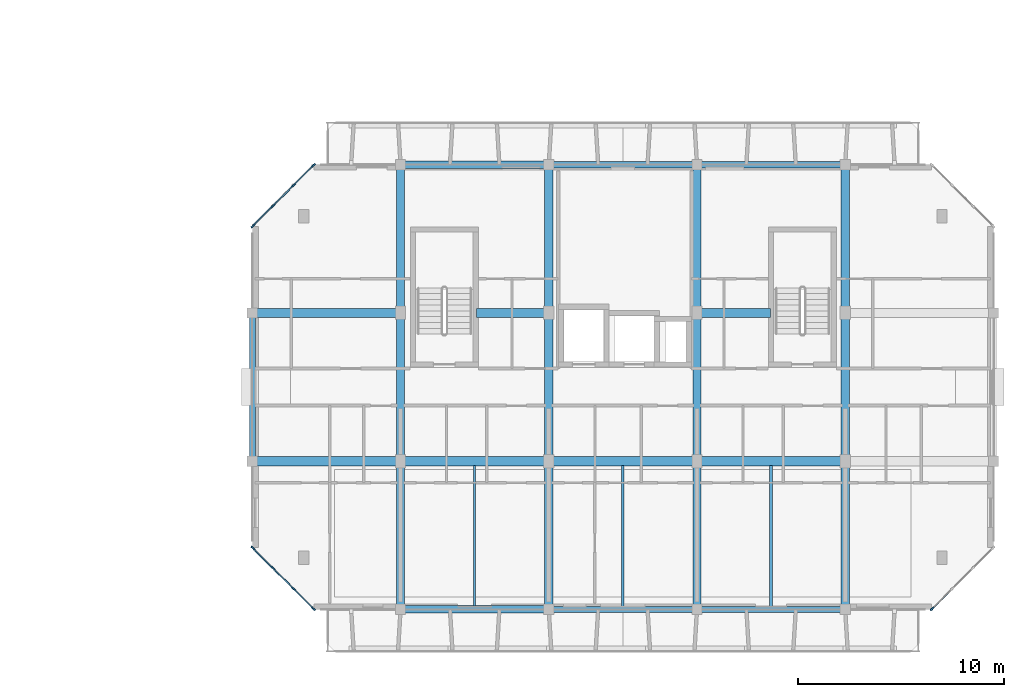
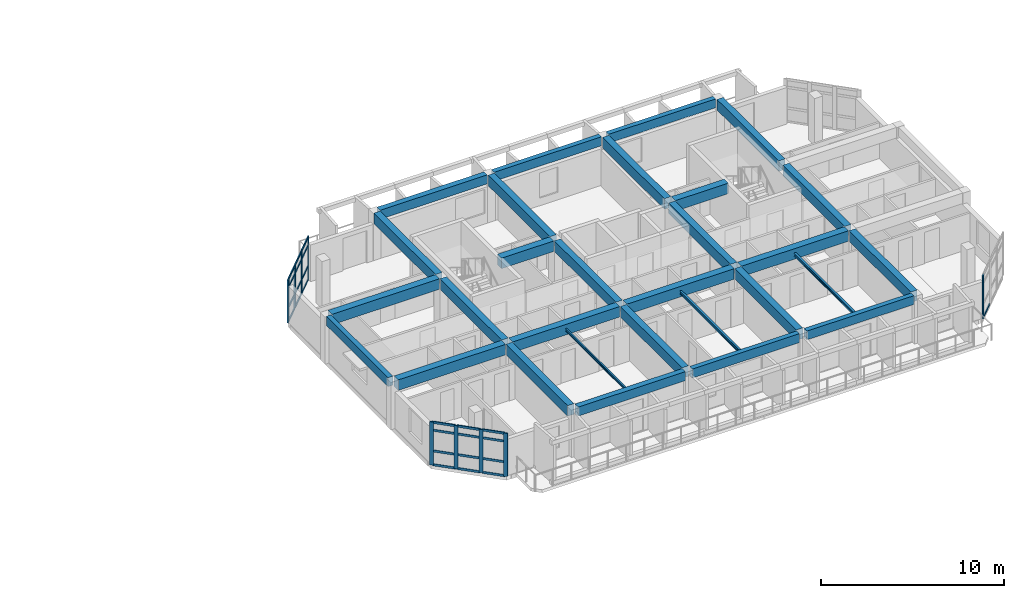
# One storey, part 7 of 40: 34 members, 29 beams, 3 elements without a shape of their own.
"""IFC4 building model written with IfcOpenShell, lengths in metres."""

from ifc_helpers import new_model, si_unit, direction, frame, origin, origin_2d, place, context, subcontext, project, spatial, rectangle, i_section, extrude, material, layer, layer_set, material_profile, profile_set, type_object, element, aggregate, save


model = new_model("IFC4")

# Units and contexts
model_context = context("Model", 3, precision=1e-05, world=origin(), true_north=direction((0.0, 1.0)))
body_context = subcontext(model_context, "Body", "Model", "MODEL_VIEW")
ifc_project = project(units=[si_unit("LENGTHUNIT", "METRE"), si_unit("AREAUNIT", "SQUARE_METRE"), si_unit("VOLUMEUNIT", "CUBIC_METRE"), si_unit("PLANEANGLEUNIT", "RADIAN"), si_unit("MASSUNIT", "GRAM", prefix="KILO")], contexts=[model_context])

# Site, building, storey
site_placement = place(None, origin())
site = spatial("IfcSite", under=ifc_project, at=site_placement, CompositionType="ELEMENT")
building_placement = place(site_placement, origin())
building = spatial("IfcBuilding", under=site, at=building_placement, Name="Ochrevale Crest", CompositionType="ELEMENT")
storey_placement = place(building_placement, frame((0.0, 0.0, 27.60009765625)))
storey = spatial("IfcBuildingStorey", under=building, at=storey_placement, Name="L08", CompositionType="ELEMENT", Elevation=27.60009765625)

# Beams
ifc_material_1 = material(Name="Precast concrete C50/60", Category="concrete")
ifc_material_profile_1 = material_profile(ifc_material_1, rectangle(XDim=0.39990234375, YDim=0.699951171875, at=origin_2d()), Name="PC 400x700")
ifc_profile_set_1 = profile_set([ifc_material_profile_1], Name="Precast concrete C50/60")
beam_type_1 = type_object("IfcBeamType", Name="BM-PC400x700", PredefinedType="BEAM", material=ifc_profile_set_1)
beam_1_placement = place(storey_placement, frame((136.800048828125, 14.6298828125, 2.7998046875), z_axis=(0.0, 1.0, 0.0), x_axis=(-1.0, 0.0, 0.0)))
element("IfcBeam", 1, at=beam_1_placement, inside=storey, type_object=beam_type_1, Name="Block C L08 N-S beam X=136.8", PredefinedType="BEAM", context=body_context, shape_type="SweptSolid", body=[
    extrude(rectangle(XDim=0.39990234375, YDim=0.699951171875, at=origin_2d()), origin(), (0.0, 0.0, 1.0), 6.740234375),
])
for number, where, z_axis, x_axis, name in (
    (2, (136.800048828125, 21.830078125, 2.7998046875), (0.0, 1.0, 0.0), (-1.0, 0.0, 0.0), "Block C L08 N-S beam X=136.8"),
    (3, (136.800048828125, 29.030029296875, 2.7998046875), (0.0, 1.0, 0.0), (-1.0, 0.0, 0.0), "Block C L08 N-S beam X=136.8"),
):
    element("IfcBeam", number, at=place(storey_placement, frame(where, z_axis=z_axis, x_axis=x_axis)), inside=storey, type_object=beam_type_1, Name=name, PredefinedType="BEAM", context=body_context, shape_type="SweptSolid", body=[
        extrude(rectangle(XDim=0.39990234375, YDim=0.699951171875, at=origin_2d()), origin(), (0.0, 0.0, 1.0), 6.739990234375),
    ])
beam_2_placement = place(storey_placement, frame((144.0, 14.6298828125, 2.7998046875), z_axis=(0.0, 1.0, 0.0), x_axis=(-1.0, 0.0, 0.0)))
element("IfcBeam", 4, at=beam_2_placement, inside=storey, type_object=beam_type_1, Name="Block C L08 N-S beam X=144.0", PredefinedType="BEAM", context=body_context, shape_type="SweptSolid", body=[
    extrude(rectangle(XDim=0.39990234375, YDim=0.699951171875, at=origin_2d()), origin(), (0.0, 0.0, 1.0), 6.740234375),
])
for number, where, z_axis, x_axis, name in (
    (5, (144.0, 21.830078125, 2.7998046875), (0.0, 1.0, 0.0), (-1.0, 0.0, 0.0), "Block C L08 N-S beam X=144.0"),
    (6, (144.0, 29.030029296875, 2.7998046875), (0.0, 1.0, 0.0), (-1.0, 0.0, 0.0), "Block C L08 N-S beam X=144.0"),
):
    element("IfcBeam", number, at=place(storey_placement, frame(where, z_axis=z_axis, x_axis=x_axis)), inside=storey, type_object=beam_type_1, Name=name, PredefinedType="BEAM", context=body_context, shape_type="SweptSolid", body=[
        extrude(rectangle(XDim=0.39990234375, YDim=0.699951171875, at=origin_2d()), origin(), (0.0, 0.0, 1.0), 6.739990234375),
    ])
beam_3_placement = place(storey_placement, frame((151.199951171875, 14.6298828125, 2.7998046875), z_axis=(0.0, 1.0, 0.0), x_axis=(-1.0, 0.0, 0.0)))
element("IfcBeam", 7, at=beam_3_placement, inside=storey, type_object=beam_type_1, Name="Block C L08 N-S beam X=151.2", PredefinedType="BEAM", context=body_context, shape_type="SweptSolid", body=[
    extrude(rectangle(XDim=0.39990234375, YDim=0.699951171875, at=origin_2d()), origin(), (0.0, 0.0, 1.0), 6.740234375),
])
for number, where, z_axis, x_axis, name in (
    (8, (151.199951171875, 21.830078125, 2.7998046875), (0.0, 1.0, 0.0), (-1.0, 0.0, 0.0), "Block C L08 N-S beam X=151.2"),
    (9, (151.199951171875, 29.030029296875, 2.7998046875), (0.0, 1.0, 0.0), (-1.0, 0.0, 0.0), "Block C L08 N-S beam X=151.2"),
):
    element("IfcBeam", number, at=place(storey_placement, frame(where, z_axis=z_axis, x_axis=x_axis)), inside=storey, type_object=beam_type_1, Name=name, PredefinedType="BEAM", context=body_context, shape_type="SweptSolid", body=[
        extrude(rectangle(XDim=0.39990234375, YDim=0.699951171875, at=origin_2d()), origin(), (0.0, 0.0, 1.0), 6.739990234375),
    ])
beam_4_placement = place(storey_placement, frame((158.39990234375, 14.6298828125, 2.7998046875), z_axis=(0.0, 1.0, 0.0), x_axis=(-1.0, 0.0, 0.0)))
element("IfcBeam", 10, at=beam_4_placement, inside=storey, type_object=beam_type_1, Name="Block C L08 N-S beam X=158.4", PredefinedType="BEAM", context=body_context, shape_type="SweptSolid", body=[
    extrude(rectangle(XDim=0.39990234375, YDim=0.699951171875, at=origin_2d()), origin(), (0.0, 0.0, 1.0), 6.740234375),
])
for number, where, z_axis, x_axis, name in (
    (11, (158.39990234375, 21.830078125, 2.7998046875), (0.0, 1.0, 0.0), (-1.0, 0.0, 0.0), "Block C L08 N-S beam X=158.4"),
    (12, (158.39990234375, 29.030029296875, 2.7998046875), (0.0, 1.0, 0.0), (-1.0, 0.0, 0.0), "Block C L08 N-S beam X=158.4"),
):
    element("IfcBeam", number, at=place(storey_placement, frame(where, z_axis=z_axis, x_axis=x_axis)), inside=storey, type_object=beam_type_1, Name=name, PredefinedType="BEAM", context=body_context, shape_type="SweptSolid", body=[
        extrude(rectangle(XDim=0.39990234375, YDim=0.699951171875, at=origin_2d()), origin(), (0.0, 0.0, 1.0), 6.739990234375),
    ])
ifc_material_2 = material(Name="Concrete C50/60", Category="concrete")
ifc_material_profile_2 = material_profile(ifc_material_2, rectangle(XDim=0.449951171875, YDim=0.699951171875, at=origin_2d()), Name="RC 450x700")
ifc_profile_set_2 = profile_set([ifc_material_profile_2], Name="Concrete C50/60")
beam_type_2 = type_object("IfcBeamType", Name="BM-PG450x700", PredefinedType="USERDEFINED", material=ifc_profile_set_2)
for number, where, z_axis, x_axis, name in (
    (13, (129.824951171875, 21.60009765625, 2.7998046875), (1.0, 0.0, 0.0), (0.0, 1.0, 0.0), "Block C L08 E-W beam Y=21.6"),
    (14, (137.02490234375, 21.60009765625, 2.7998046875), (1.0, 0.0, 0.0), (0.0, 1.0, 0.0), "Block C L08 E-W beam Y=21.6"),
    (15, (144.22509765625, 21.60009765625, 2.7998046875), (1.0, 0.0, 0.0), (0.0, 1.0, 0.0), "Block C L08 E-W beam Y=21.6"),
    (16, (151.425048828125, 21.60009765625, 2.7998046875), (1.0, 0.0, 0.0), (0.0, 1.0, 0.0), "Block C L08 E-W beam Y=21.6"),
    (17, (129.824951171875, 28.800048828125, 2.7998046875), (1.0, 0.0, 0.0), (0.0, 1.0, 0.0), "Block C L08 E-W beam Y=28.8"),
):
    element("IfcBeam", number, at=place(storey_placement, frame(where, z_axis=z_axis, x_axis=x_axis)), inside=storey, type_object=beam_type_2, Name=name, ObjectType="GIRDER", PredefinedType="USERDEFINED", context=body_context, shape_type="SweptSolid", body=[
        extrude(rectangle(XDim=0.449951171875, YDim=0.699951171875, at=origin_2d()), origin(), (0.0, 0.0, 1.0), 6.75),
    ])
beam_5_placement = place(storey_placement, frame((140.489990234375, 28.800048828125, 2.7998046875), z_axis=(1.0, 0.0, 0.0), x_axis=(0.0, 1.0, 0.0)))
element("IfcBeam", 18, at=beam_5_placement, inside=storey, type_object=beam_type_2, Name="Block C L08 E-W beam Y=28.8", ObjectType="GIRDER", PredefinedType="USERDEFINED", context=body_context, shape_type="SweptSolid", body=[
    extrude(rectangle(XDim=0.449951171875, YDim=0.699951171875, at=origin_2d()), origin(), (0.0, 0.0, 1.0), 3.284912109375),
])
beam_6_placement = place(storey_placement, frame((151.425048828125, 28.800048828125, 2.7998046875), z_axis=(1.0, 0.0, 0.0), x_axis=(0.0, 1.0, 0.0)))
element("IfcBeam", 19, at=beam_6_placement, inside=storey, type_object=beam_type_2, Name="Block C L08 E-W beam Y=28.8", ObjectType="GIRDER", PredefinedType="USERDEFINED", context=body_context, shape_type="SweptSolid", body=[
    extrude(rectangle(XDim=0.449951171875, YDim=0.699951171875, at=origin_2d()), origin(), (0.0, 0.0, 1.0), 3.3349609375),
])
ifc_material_3 = material(Name="Precast concrete C40/50", Category="concrete")
ifc_material_profile_3 = material_profile(ifc_material_3, rectangle(XDim=0.300048828125, YDim=0.580078125, at=origin_2d()), Name="PC 300x580")
ifc_profile_set_3 = profile_set([ifc_material_profile_3], Name="Precast concrete C40/50")
beam_type_3 = type_object("IfcBeamType", Name="BM-SP300x580", PredefinedType="SPANDREL", material=ifc_profile_set_3)
for number, where, z_axis, x_axis, name in (
    (20, (151.425048828125, 14.39990234375, 2.85986328125), (1.0, 0.0, 0.0), (0.0, 1.0, 0.0), "Block C L08 E-W beam Y=14.4"),
    (21, (151.425048828125, 36.0, 2.85986328125), (1.0, 0.0, 0.0), (0.0, 1.0, 0.0), "Block C L08 E-W beam Y=36.0"),
):
    element("IfcBeam", number, at=place(storey_placement, frame(where, z_axis=z_axis, x_axis=x_axis)), inside=storey, type_object=beam_type_3, Name=name, PredefinedType="SPANDREL", context=body_context, shape_type="SweptSolid", body=[
        extrude(rectangle(XDim=0.300048828125, YDim=0.580078125, at=origin_2d()), origin(), (0.0, 0.0, 1.0), 6.75),
    ])
ifc_material_profile_4 = material_profile(ifc_material_3, rectangle(XDim=0.300048828125, YDim=0.60009765625, at=origin_2d()), Name="PC 300x600")
ifc_profile_set_4 = profile_set([ifc_material_profile_4], Name="Precast concrete C40/50")
beam_type_4 = type_object("IfcBeamType", Name="BM-SP300x600", PredefinedType="SPANDREL", material=ifc_profile_set_4)
for number, where, z_axis, x_axis, name in (
    (22, (144.22509765625, 14.39990234375, 2.849853515625), (1.0, 0.0, 0.0), (0.0, 1.0, 0.0), "Block C L08 E-W beam Y=14.4"),
    (23, (144.22509765625, 36.0, 2.849853515625), (1.0, 0.0, 0.0), (0.0, 1.0, 0.0), "Block C L08 E-W beam Y=36.0"),
):
    element("IfcBeam", number, at=place(storey_placement, frame(where, z_axis=z_axis, x_axis=x_axis)), inside=storey, type_object=beam_type_4, Name=name, PredefinedType="SPANDREL", context=body_context, shape_type="SweptSolid", body=[
        extrude(rectangle(XDim=0.300048828125, YDim=0.60009765625, at=origin_2d()), origin(), (0.0, 0.0, 1.0), 6.75),
    ])
beam_7_placement = place(storey_placement, frame((129.60009765625, 21.830078125, 2.849853515625), z_axis=(0.0, 1.0, 0.0), x_axis=(-1.0, 0.0, 0.0)))
element("IfcBeam", 24, at=beam_7_placement, inside=storey, type_object=beam_type_4, Name="Block C L08 N-S beam X=129.6", PredefinedType="SPANDREL", context=body_context, shape_type="SweptSolid", body=[
    extrude(rectangle(XDim=0.300048828125, YDim=0.60009765625, at=origin_2d()), origin(), (0.0, 0.0, 1.0), 6.739990234375),
])
ifc_material_profile_5 = material_profile(ifc_material_3, rectangle(XDim=0.35009765625, YDim=0.60009765625, at=origin_2d()), Name="PC 350x600")
ifc_profile_set_5 = profile_set([ifc_material_profile_5], Name="Precast concrete C40/50")
beam_type_5 = type_object("IfcBeamType", Name="BM-SP350x600", PredefinedType="SPANDREL", material=ifc_profile_set_5)
for number, where, z_axis, x_axis, name in (
    (25, (137.02490234375, 14.39990234375, 2.849853515625), (1.0, 0.0, 0.0), (0.0, 1.0, 0.0), "Block C L08 E-W beam Y=14.4"),
    (26, (137.02490234375, 36.0, 2.849853515625), (1.0, 0.0, 0.0), (0.0, 1.0, 0.0), "Block C L08 E-W beam Y=36.0"),
):
    element("IfcBeam", number, at=place(storey_placement, frame(where, z_axis=z_axis, x_axis=x_axis)), inside=storey, type_object=beam_type_5, Name=name, PredefinedType="SPANDREL", context=body_context, shape_type="SweptSolid", body=[
        extrude(rectangle(XDim=0.35009765625, YDim=0.60009765625, at=origin_2d()), origin(), (0.0, 0.0, 1.0), 6.75),
    ])
ifc_material_4 = material(Name="Steel S355", Category="steel")
ifc_material_profile_6 = material_profile(ifc_material_4, i_section(OverallWidth=0.090087890625, OverallDepth=0.1787109375, WebThickness=0.006103515625, FlangeThickness=0.010009765625, FilletRadius=0.0087890625, at=origin_2d()), Name="180UB22.2")
ifc_profile_set_6 = profile_set([ifc_material_profile_6], Name="Steel S355")
beam_type_6 = type_object("IfcBeamType", Name="BM-UB180", PredefinedType="JOIST", material=ifc_profile_set_6)
beam_8_placement = place(storey_placement, frame((140.39990234375, 14.56298828125, 2.785400390625), z_axis=(0.0, 1.0, 0.0), x_axis=(-1.0, 0.0, 0.0)))
element("IfcBeam", 27, at=beam_8_placement, inside=storey, type_object=beam_type_6, Name="Block C L08 composite plank trimmer beam 2", PredefinedType="JOIST", context=body_context, shape_type="SweptSolid", body=[
    extrude(i_section(OverallWidth=0.090087890625, OverallDepth=0.1787109375, WebThickness=0.006103515625, FlangeThickness=0.010009765625, FilletRadius=0.0087890625, at=origin_2d()), origin(), (0.0, 0.0, 1.0), 6.823974609375),
])
ifc_material_profile_7 = material_profile(ifc_material_4, i_section(OverallWidth=0.13330078125, OverallDepth=0.203125, WebThickness=0.005859375, FlangeThickness=0.0078125, FilletRadius=0.0087890625, at=origin_2d()), Name="200UB25.4")
ifc_profile_set_7 = profile_set([ifc_material_profile_7], Name="Steel S355")
beam_type_7 = type_object("IfcBeamType", Name="BM-UB200A", PredefinedType="JOIST", material=ifc_profile_set_7)
beam_9_placement = place(storey_placement, frame((147.60009765625, 14.5380859375, 2.773193359375), z_axis=(0.0, 1.0, 0.0), x_axis=(-1.0, 0.0, 0.0)))
element("IfcBeam", 28, at=beam_9_placement, inside=storey, type_object=beam_type_7, Name="Block C L08 composite plank trimmer beam 3", PredefinedType="JOIST", context=body_context, shape_type="SweptSolid", body=[
    extrude(i_section(OverallWidth=0.13330078125, OverallDepth=0.203125, WebThickness=0.005859375, FlangeThickness=0.0078125, FilletRadius=0.0087890625, at=origin_2d()), origin(), (0.0, 0.0, 1.0), 6.848876953125),
])
ifc_material_profile_8 = material_profile(ifc_material_4, i_section(OverallWidth=0.134033203125, OverallDepth=0.20703125, WebThickness=0.00634765625, FlangeThickness=0.009521484375, FilletRadius=0.0087890625, at=origin_2d()), Name="200UB29.8")
ifc_profile_set_8 = profile_set([ifc_material_profile_8], Name="Steel S355")
beam_type_8 = type_object("IfcBeamType", Name="BM-UB200B", PredefinedType="JOIST", material=ifc_profile_set_8)
beam_10_placement = place(storey_placement, frame((154.800048828125, 14.5380859375, 2.771484375), z_axis=(0.0, 1.0, 0.0), x_axis=(-1.0, 0.0, 0.0)))
element("IfcBeam", 29, at=beam_10_placement, inside=storey, type_object=beam_type_8, Name="Block C L08 composite plank trimmer beam 4", PredefinedType="JOIST", context=body_context, shape_type="SweptSolid", body=[
    extrude(i_section(OverallWidth=0.134033203125, OverallDepth=0.20703125, WebThickness=0.00634765625, FlangeThickness=0.009521484375, FilletRadius=0.0087890625, at=origin_2d()), origin(), (0.0, 0.0, 1.0), 6.848876953125),
])

# Curtain wall, member
ifc_material_5 = material(Name="Anodised aluminium 6063-T5", Category="aluminium")
ifc_layer_1 = layer(ifc_material_5, 0.14990234375)
ifc_layer_set_1 = layer_set([ifc_layer_1], Name="Anodised aluminium 6063-T5")
curtain_wall_type_1 = type_object("IfcCurtainWallType", Name="CW-WG-240x285", PredefinedType="NOTDEFINED", material=ifc_layer_set_1)
curtain_wall_1_placement = place(storey_placement, origin())
curtain_wall_1 = element("IfcCurtainWall", 30, at=curtain_wall_1_placement, inside=storey, type_object=curtain_wall_type_1, Name="Block C L08 chamfered corner wintergarden curtain wall 2", PredefinedType="NOTDEFINED")
ifc_material_profile_9 = material_profile(ifc_material_5, rectangle(XDim=0.074951171875, YDim=0.219970703125, at=origin_2d()), Name="ALU 75x220")
ifc_profile_set_9 = profile_set([ifc_material_profile_9], Name="Anodised aluminium 6063-T5")
member_type_1 = type_object("IfcMemberType", Name="CW-MUL-75x220", PredefinedType="MULLION", material=ifc_profile_set_9)
member_1_placement = place(storey_placement, frame((162.62646484375, 14.426513671875, 0.0), z_axis=(0.0, 0.0, 1.0), x_axis=(-0.707106781187, 0.707106781187, 0.0)))
member_1 = element("IfcMember", 31, at=member_1_placement, type_object=member_type_1, Name="CW15 mullion 1", PredefinedType="MULLION", context=body_context, shape_type="SweptSolid", body=[
    extrude(rectangle(XDim=0.074951171875, YDim=0.219970703125, at=origin_2d()), origin(), (0.0, 0.0, 1.0), 2.875),
])

# Curtain wall, members
ifc_layer_2 = layer(ifc_material_5, 0.14990234375)
ifc_layer_set_2 = layer_set([ifc_layer_2], Name="Anodised aluminium 6063-T5")
curtain_wall_type_2 = type_object("IfcCurtainWallType", Name="CW-WG-420x285", PredefinedType="NOTDEFINED", material=ifc_layer_set_2)
curtain_wall_2_placement = place(storey_placement, origin())
curtain_wall_2 = element("IfcCurtainWall", 32, at=curtain_wall_2_placement, inside=storey, type_object=curtain_wall_type_2, Name="Block C L08 chamfered corner wintergarden curtain wall 6", PredefinedType="NOTDEFINED")
member_2_placement = place(storey_placement, frame((132.573486328125, 35.973388671875, 0.0), z_axis=(0.0, 0.0, 1.0), x_axis=(0.707106781187, -0.707106781187, 0.0)))
member_2 = element("IfcMember", 33, at=member_2_placement, type_object=member_type_1, Name="CW22 mullion 1", PredefinedType="MULLION", context=body_context, shape_type="SweptSolid", body=[
    extrude(rectangle(XDim=0.074951171875, YDim=0.219970703125, at=origin_2d()), origin(), (0.0, 0.0, 1.0), 2.875),
])
member_3_placement = place(storey_placement, frame((131.60009765625, 35.0, 0.0), z_axis=(0.0, 0.0, 1.0), x_axis=(0.707106781187, -0.707106781187, 0.0)))
member_3 = element("IfcMember", 34, at=member_3_placement, type_object=member_type_1, Name="CW22 mullion 2", PredefinedType="MULLION", context=body_context, shape_type="SweptSolid", body=[
    extrude(rectangle(XDim=0.074951171875, YDim=0.219970703125, at=origin_2d()), origin(), (0.0, 0.0, 1.0), 2.875),
])
member_4_placement = place(storey_placement, frame((130.60009765625, 34.0, 0.0), z_axis=(0.0, 0.0, 1.0), x_axis=(0.707106781187, -0.707106781187, 0.0)))
member_4 = element("IfcMember", 35, at=member_4_placement, type_object=member_type_1, Name="CW22 mullion 3", PredefinedType="MULLION", context=body_context, shape_type="SweptSolid", body=[
    extrude(rectangle(XDim=0.074951171875, YDim=0.219970703125, at=origin_2d()), origin(), (0.0, 0.0, 1.0), 2.875),
])
member_5_placement = place(storey_placement, frame((129.62646484375, 33.026611328125, 0.0), z_axis=(0.0, 0.0, 1.0), x_axis=(0.707106781187, -0.707106781187, 0.0)))
member_5 = element("IfcMember", 36, at=member_5_placement, type_object=member_type_1, Name="CW22 mullion 4", PredefinedType="MULLION", context=body_context, shape_type="SweptSolid", body=[
    extrude(rectangle(XDim=0.074951171875, YDim=0.219970703125, at=origin_2d()), origin(), (0.0, 0.0, 1.0), 2.875),
])

ifc_layer_3 = layer(ifc_material_5, 0.14990234375)
ifc_layer_set_3 = layer_set([ifc_layer_3], Name="Anodised aluminium 6063-T5")
curtain_wall_type_3 = type_object("IfcCurtainWallType", Name="CW-WG-280x285", PredefinedType="NOTDEFINED", material=ifc_layer_set_3)
curtain_wall_3_placement = place(storey_placement, origin())
curtain_wall_3 = element("IfcCurtainWall", 37, at=curtain_wall_3_placement, inside=storey, type_object=curtain_wall_type_3, Name="Block C L08 chamfered corner wintergarden curtain wall 8", PredefinedType="NOTDEFINED")
member_6_placement = place(storey_placement, frame((129.62646484375, 17.37353515625, 0.0), z_axis=(0.0, 0.0, 1.0), x_axis=(0.707106781187, 0.707106781187, 0.0)))
member_6 = element("IfcMember", 38, at=member_6_placement, type_object=member_type_1, Name="CW16 mullion 1", PredefinedType="MULLION", context=body_context, shape_type="SweptSolid", body=[
    extrude(rectangle(XDim=0.074951171875, YDim=0.219970703125, at=origin_2d()), origin(), (0.0, 0.0, 1.0), 2.875),
])
member_7_placement = place(storey_placement, frame((130.60009765625, 16.39990234375, 0.0), z_axis=(0.0, 0.0, 1.0), x_axis=(0.707106781187, 0.707106781187, 0.0)))
member_7 = element("IfcMember", 39, at=member_7_placement, type_object=member_type_1, Name="CW16 mullion 2", PredefinedType="MULLION", context=body_context, shape_type="SweptSolid", body=[
    extrude(rectangle(XDim=0.074951171875, YDim=0.219970703125, at=origin_2d()), origin(), (0.0, 0.0, 1.0), 2.875),
])
member_8_placement = place(storey_placement, frame((131.60009765625, 15.39990234375, 0.0), z_axis=(0.0, 0.0, 1.0), x_axis=(0.707106781187, 0.707106781187, 0.0)))
member_8 = element("IfcMember", 40, at=member_8_placement, type_object=member_type_1, Name="CW16 mullion 3", PredefinedType="MULLION", context=body_context, shape_type="SweptSolid", body=[
    extrude(rectangle(XDim=0.074951171875, YDim=0.219970703125, at=origin_2d()), origin(), (0.0, 0.0, 1.0), 2.875),
])
member_9_placement = place(storey_placement, frame((132.573486328125, 14.426513671875, 0.0), z_axis=(0.0, 0.0, 1.0), x_axis=(0.707106781187, 0.707106781187, 0.0)))
member_9 = element("IfcMember", 41, at=member_9_placement, type_object=member_type_1, Name="CW16 mullion 4", PredefinedType="MULLION", context=body_context, shape_type="SweptSolid", body=[
    extrude(rectangle(XDim=0.074951171875, YDim=0.219970703125, at=origin_2d()), origin(), (0.0, 0.0, 1.0), 2.875),
])

# Member
ifc_material_profile_10 = material_profile(ifc_material_5, rectangle(XDim=0.06005859375, YDim=0.14990234375, at=origin_2d()), Name="ALU 60x150")
ifc_profile_set_10 = profile_set([ifc_material_profile_10], Name="Anodised aluminium 6063-T5")
member_type_2 = type_object("IfcMemberType", Name="CW-TRN-60x150", PredefinedType="USERDEFINED", material=ifc_profile_set_10)
member_10_placement = place(storey_placement, frame((162.653076171875, 14.453125, 0.02978515625), z_axis=(0.707106781187, 0.707106781187, 0.0), x_axis=(-0.707106781187, 0.707106781187, 0.0)))
member_10 = element("IfcMember", 42, at=member_10_placement, type_object=member_type_2, Name="CW15 transom 1.1", ObjectType="TRANSOM", PredefinedType="USERDEFINED", context=body_context, shape_type="SweptSolid", body=[
    extrude(rectangle(XDim=0.06005859375, YDim=0.14990234375, at=origin_2d()), origin(), (0.0, 0.0, 1.0), 1.3017578125),
])

aggregate(curtain_wall_1, [member_1, member_10])

member_11_placement = place(storey_placement, frame((132.546875, 35.947021484375, 0.02978515625), z_axis=(-0.707106781187, -0.707106781187, 0.0), x_axis=(0.707106781187, -0.707106781187, 0.0)))
member_11 = element("IfcMember", 43, at=member_11_placement, type_object=member_type_2, Name="CW22 transom 1.1", ObjectType="TRANSOM", PredefinedType="USERDEFINED", context=body_context, shape_type="SweptSolid", body=[
    extrude(rectangle(XDim=0.06005859375, YDim=0.14990234375, at=origin_2d()), origin(), (0.0, 0.0, 1.0), 1.3017578125),
])

member_12_placement = place(storey_placement, frame((132.546875, 35.947021484375, 0.949951171875), z_axis=(-0.707106781187, -0.707106781187, 0.0), x_axis=(0.707106781187, -0.707106781187, 0.0)))
member_12 = element("IfcMember", 44, at=member_12_placement, type_object=member_type_2, Name="CW22 transom 1.2", ObjectType="TRANSOM", PredefinedType="USERDEFINED", context=body_context, shape_type="SweptSolid", body=[
    extrude(rectangle(XDim=0.06005859375, YDim=0.14990234375, at=origin_2d()), origin(), (0.0, 0.0, 1.0), 1.3017578125),
])

member_13_placement = place(storey_placement, frame((132.546875, 35.947021484375, 2.324951171875), z_axis=(-0.707106781187, -0.707106781187, 0.0), x_axis=(0.707106781187, -0.707106781187, 0.0)))
member_13 = element("IfcMember", 45, at=member_13_placement, type_object=member_type_2, Name="CW22 transom 1.3", ObjectType="TRANSOM", PredefinedType="USERDEFINED", context=body_context, shape_type="SweptSolid", body=[
    extrude(rectangle(XDim=0.06005859375, YDim=0.14990234375, at=origin_2d()), origin(), (0.0, 0.0, 1.0), 1.3017578125),
])

member_14_placement = place(storey_placement, frame((132.546875, 35.947021484375, 2.844970703125), z_axis=(-0.707106781187, -0.707106781187, 0.0), x_axis=(0.707106781187, -0.707106781187, 0.0)))
member_14 = element("IfcMember", 46, at=member_14_placement, type_object=member_type_2, Name="CW22 transom 1.4", ObjectType="TRANSOM", PredefinedType="USERDEFINED", context=body_context, shape_type="SweptSolid", body=[
    extrude(rectangle(XDim=0.06005859375, YDim=0.14990234375, at=origin_2d()), origin(), (0.0, 0.0, 1.0), 1.3017578125),
])

member_15_placement = place(storey_placement, frame((131.573486328125, 34.973388671875, 0.02978515625), z_axis=(-0.707197932559, -0.707015618062, 0.0), x_axis=(0.707015618062, -0.707197932559, 0.0)))
member_15 = element("IfcMember", 47, at=member_15_placement, type_object=member_type_2, Name="CW22 transom 2.1", ObjectType="TRANSOM", PredefinedType="USERDEFINED", context=body_context, shape_type="SweptSolid", body=[
    extrude(rectangle(XDim=0.06005859375, YDim=0.14990234375, at=origin_2d()), origin(), (0.0, 0.0, 1.0), 1.339111328125),
])

member_16_placement = place(storey_placement, frame((131.573486328125, 34.973388671875, 0.949951171875), z_axis=(-0.707197932559, -0.707015618062, 0.0), x_axis=(0.707015618062, -0.707197932559, 0.0)))
member_16 = element("IfcMember", 48, at=member_16_placement, type_object=member_type_2, Name="CW22 transom 2.2", ObjectType="TRANSOM", PredefinedType="USERDEFINED", context=body_context, shape_type="SweptSolid", body=[
    extrude(rectangle(XDim=0.06005859375, YDim=0.14990234375, at=origin_2d()), origin(), (0.0, 0.0, 1.0), 1.339111328125),
])

member_17_placement = place(storey_placement, frame((131.573486328125, 34.973388671875, 2.324951171875), z_axis=(-0.707197932559, -0.707015618062, 0.0), x_axis=(0.707015618062, -0.707197932559, 0.0)))
member_17 = element("IfcMember", 49, at=member_17_placement, type_object=member_type_2, Name="CW22 transom 2.3", ObjectType="TRANSOM", PredefinedType="USERDEFINED", context=body_context, shape_type="SweptSolid", body=[
    extrude(rectangle(XDim=0.06005859375, YDim=0.14990234375, at=origin_2d()), origin(), (0.0, 0.0, 1.0), 1.339111328125),
])

member_18_placement = place(storey_placement, frame((131.573486328125, 34.973388671875, 2.844970703125), z_axis=(-0.707197932559, -0.707015618062, 0.0), x_axis=(0.707015618062, -0.707197932559, 0.0)))
member_18 = element("IfcMember", 50, at=member_18_placement, type_object=member_type_2, Name="CW22 transom 2.4", ObjectType="TRANSOM", PredefinedType="USERDEFINED", context=body_context, shape_type="SweptSolid", body=[
    extrude(rectangle(XDim=0.06005859375, YDim=0.14990234375, at=origin_2d()), origin(), (0.0, 0.0, 1.0), 1.339111328125),
])

member_19_placement = place(storey_placement, frame((130.573486328125, 33.973388671875, 0.02978515625), z_axis=(-0.707106781187, -0.707106781187, 0.0), x_axis=(0.707106781187, -0.707106781187, 0.0)))
member_19 = element("IfcMember", 51, at=member_19_placement, type_object=member_type_2, Name="CW22 transom 3.1", ObjectType="TRANSOM", PredefinedType="USERDEFINED", context=body_context, shape_type="SweptSolid", body=[
    extrude(rectangle(XDim=0.06005859375, YDim=0.14990234375, at=origin_2d()), origin(), (0.0, 0.0, 1.0), 1.3017578125),
])

member_20_placement = place(storey_placement, frame((130.573486328125, 33.973388671875, 0.949951171875), z_axis=(-0.707106781187, -0.707106781187, 0.0), x_axis=(0.707106781187, -0.707106781187, 0.0)))
member_20 = element("IfcMember", 52, at=member_20_placement, type_object=member_type_2, Name="CW22 transom 3.2", ObjectType="TRANSOM", PredefinedType="USERDEFINED", context=body_context, shape_type="SweptSolid", body=[
    extrude(rectangle(XDim=0.06005859375, YDim=0.14990234375, at=origin_2d()), origin(), (0.0, 0.0, 1.0), 1.3017578125),
])

member_21_placement = place(storey_placement, frame((130.573486328125, 33.973388671875, 2.324951171875), z_axis=(-0.707106781187, -0.707106781187, 0.0), x_axis=(0.707106781187, -0.707106781187, 0.0)))
member_21 = element("IfcMember", 53, at=member_21_placement, type_object=member_type_2, Name="CW22 transom 3.3", ObjectType="TRANSOM", PredefinedType="USERDEFINED", context=body_context, shape_type="SweptSolid", body=[
    extrude(rectangle(XDim=0.06005859375, YDim=0.14990234375, at=origin_2d()), origin(), (0.0, 0.0, 1.0), 1.3017578125),
])

member_22_placement = place(storey_placement, frame((130.573486328125, 33.973388671875, 2.844970703125), z_axis=(-0.707106781187, -0.707106781187, 0.0), x_axis=(0.707106781187, -0.707106781187, 0.0)))
member_22 = element("IfcMember", 54, at=member_22_placement, type_object=member_type_2, Name="CW22 transom 3.4", ObjectType="TRANSOM", PredefinedType="USERDEFINED", context=body_context, shape_type="SweptSolid", body=[
    extrude(rectangle(XDim=0.06005859375, YDim=0.14990234375, at=origin_2d()), origin(), (0.0, 0.0, 1.0), 1.3017578125),
])

aggregate(curtain_wall_2, [member_2, member_3, member_4, member_5, member_11, member_12, member_13, member_14, member_15, member_16, member_17, member_18, member_19, member_20, member_21, member_22])

member_23_placement = place(storey_placement, frame((129.653076171875, 17.346923828125, 0.02978515625), z_axis=(0.707106781187, -0.707106781187, 0.0), x_axis=(0.707106781187, 0.707106781187, 0.0)))
member_23 = element("IfcMember", 55, at=member_23_placement, type_object=member_type_2, Name="CW16 transom 1.1", ObjectType="TRANSOM", PredefinedType="USERDEFINED", context=body_context, shape_type="SweptSolid", body=[
    extrude(rectangle(XDim=0.06005859375, YDim=0.14990234375, at=origin_2d()), origin(), (0.0, 0.0, 1.0), 1.3017578125),
])

member_24_placement = place(storey_placement, frame((129.653076171875, 17.346923828125, 0.949951171875), z_axis=(0.707106781187, -0.707106781187, 0.0), x_axis=(0.707106781187, 0.707106781187, 0.0)))
member_24 = element("IfcMember", 56, at=member_24_placement, type_object=member_type_2, Name="CW16 transom 1.2", ObjectType="TRANSOM", PredefinedType="USERDEFINED", context=body_context, shape_type="SweptSolid", body=[
    extrude(rectangle(XDim=0.06005859375, YDim=0.14990234375, at=origin_2d()), origin(), (0.0, 0.0, 1.0), 1.3017578125),
])

member_25_placement = place(storey_placement, frame((129.653076171875, 17.346923828125, 2.324951171875), z_axis=(0.707106781187, -0.707106781187, 0.0), x_axis=(0.707106781187, 0.707106781187, 0.0)))
member_25 = element("IfcMember", 57, at=member_25_placement, type_object=member_type_2, Name="CW16 transom 1.3", ObjectType="TRANSOM", PredefinedType="USERDEFINED", context=body_context, shape_type="SweptSolid", body=[
    extrude(rectangle(XDim=0.06005859375, YDim=0.14990234375, at=origin_2d()), origin(), (0.0, 0.0, 1.0), 1.3017578125),
])

member_26_placement = place(storey_placement, frame((129.653076171875, 17.346923828125, 2.844970703125), z_axis=(0.707106781187, -0.707106781187, 0.0), x_axis=(0.707106781187, 0.707106781187, 0.0)))
member_26 = element("IfcMember", 58, at=member_26_placement, type_object=member_type_2, Name="CW16 transom 1.4", ObjectType="TRANSOM", PredefinedType="USERDEFINED", context=body_context, shape_type="SweptSolid", body=[
    extrude(rectangle(XDim=0.06005859375, YDim=0.14990234375, at=origin_2d()), origin(), (0.0, 0.0, 1.0), 1.3017578125),
])

member_27_placement = place(storey_placement, frame((130.62646484375, 16.37353515625, 0.02978515625), z_axis=(0.707106781187, -0.707106781187, 0.0), x_axis=(0.707106781187, 0.707106781187, 0.0)))
member_27 = element("IfcMember", 59, at=member_27_placement, type_object=member_type_2, Name="CW16 transom 2.1", ObjectType="TRANSOM", PredefinedType="USERDEFINED", context=body_context, shape_type="SweptSolid", body=[
    extrude(rectangle(XDim=0.06005859375, YDim=0.14990234375, at=origin_2d()), origin(), (0.0, 0.0, 1.0), 1.33935546875),
])

member_28_placement = place(storey_placement, frame((130.62646484375, 16.37353515625, 0.949951171875), z_axis=(0.707106781187, -0.707106781187, 0.0), x_axis=(0.707106781187, 0.707106781187, 0.0)))
member_28 = element("IfcMember", 60, at=member_28_placement, type_object=member_type_2, Name="CW16 transom 2.2", ObjectType="TRANSOM", PredefinedType="USERDEFINED", context=body_context, shape_type="SweptSolid", body=[
    extrude(rectangle(XDim=0.06005859375, YDim=0.14990234375, at=origin_2d()), origin(), (0.0, 0.0, 1.0), 1.33935546875),
])

member_29_placement = place(storey_placement, frame((130.62646484375, 16.37353515625, 2.324951171875), z_axis=(0.707106781187, -0.707106781187, 0.0), x_axis=(0.707106781187, 0.707106781187, 0.0)))
member_29 = element("IfcMember", 61, at=member_29_placement, type_object=member_type_2, Name="CW16 transom 2.3", ObjectType="TRANSOM", PredefinedType="USERDEFINED", context=body_context, shape_type="SweptSolid", body=[
    extrude(rectangle(XDim=0.06005859375, YDim=0.14990234375, at=origin_2d()), origin(), (0.0, 0.0, 1.0), 1.33935546875),
])

member_30_placement = place(storey_placement, frame((130.62646484375, 16.37353515625, 2.844970703125), z_axis=(0.707106781187, -0.707106781187, 0.0), x_axis=(0.707106781187, 0.707106781187, 0.0)))
member_30 = element("IfcMember", 62, at=member_30_placement, type_object=member_type_2, Name="CW16 transom 2.4", ObjectType="TRANSOM", PredefinedType="USERDEFINED", context=body_context, shape_type="SweptSolid", body=[
    extrude(rectangle(XDim=0.06005859375, YDim=0.14990234375, at=origin_2d()), origin(), (0.0, 0.0, 1.0), 1.33935546875),
])

member_31_placement = place(storey_placement, frame((131.62646484375, 15.37353515625, 0.02978515625), z_axis=(0.707106781187, -0.707106781187, 0.0), x_axis=(0.707106781187, 0.707106781187, 0.0)))
member_31 = element("IfcMember", 63, at=member_31_placement, type_object=member_type_2, Name="CW16 transom 3.1", ObjectType="TRANSOM", PredefinedType="USERDEFINED", context=body_context, shape_type="SweptSolid", body=[
    extrude(rectangle(XDim=0.06005859375, YDim=0.14990234375, at=origin_2d()), origin(), (0.0, 0.0, 1.0), 1.3017578125),
])

member_32_placement = place(storey_placement, frame((131.62646484375, 15.37353515625, 0.949951171875), z_axis=(0.707106781187, -0.707106781187, 0.0), x_axis=(0.707106781187, 0.707106781187, 0.0)))
member_32 = element("IfcMember", 64, at=member_32_placement, type_object=member_type_2, Name="CW16 transom 3.2", ObjectType="TRANSOM", PredefinedType="USERDEFINED", context=body_context, shape_type="SweptSolid", body=[
    extrude(rectangle(XDim=0.06005859375, YDim=0.14990234375, at=origin_2d()), origin(), (0.0, 0.0, 1.0), 1.3017578125),
])

member_33_placement = place(storey_placement, frame((131.62646484375, 15.37353515625, 2.324951171875), z_axis=(0.707106781187, -0.707106781187, 0.0), x_axis=(0.707106781187, 0.707106781187, 0.0)))
member_33 = element("IfcMember", 65, at=member_33_placement, type_object=member_type_2, Name="CW16 transom 3.3", ObjectType="TRANSOM", PredefinedType="USERDEFINED", context=body_context, shape_type="SweptSolid", body=[
    extrude(rectangle(XDim=0.06005859375, YDim=0.14990234375, at=origin_2d()), origin(), (0.0, 0.0, 1.0), 1.3017578125),
])

member_34_placement = place(storey_placement, frame((131.62646484375, 15.37353515625, 2.844970703125), z_axis=(0.707106781187, -0.707106781187, 0.0), x_axis=(0.707106781187, 0.707106781187, 0.0)))
member_34 = element("IfcMember", 66, at=member_34_placement, type_object=member_type_2, Name="CW16 transom 3.4", ObjectType="TRANSOM", PredefinedType="USERDEFINED", context=body_context, shape_type="SweptSolid", body=[
    extrude(rectangle(XDim=0.06005859375, YDim=0.14990234375, at=origin_2d()), origin(), (0.0, 0.0, 1.0), 1.3017578125),
])

aggregate(curtain_wall_3, [member_6, member_7, member_8, member_9, member_23, member_24, member_25, member_26, member_27, member_28, member_29, member_30, member_31, member_32, member_33, member_34])

save(model, "model.ifc")
